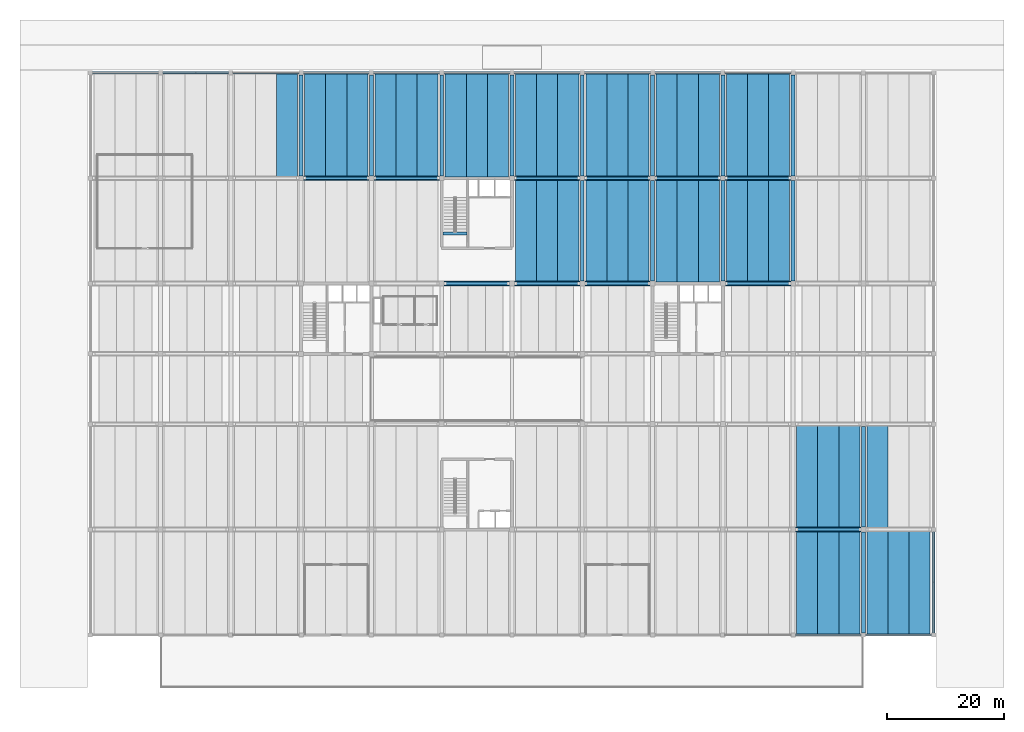
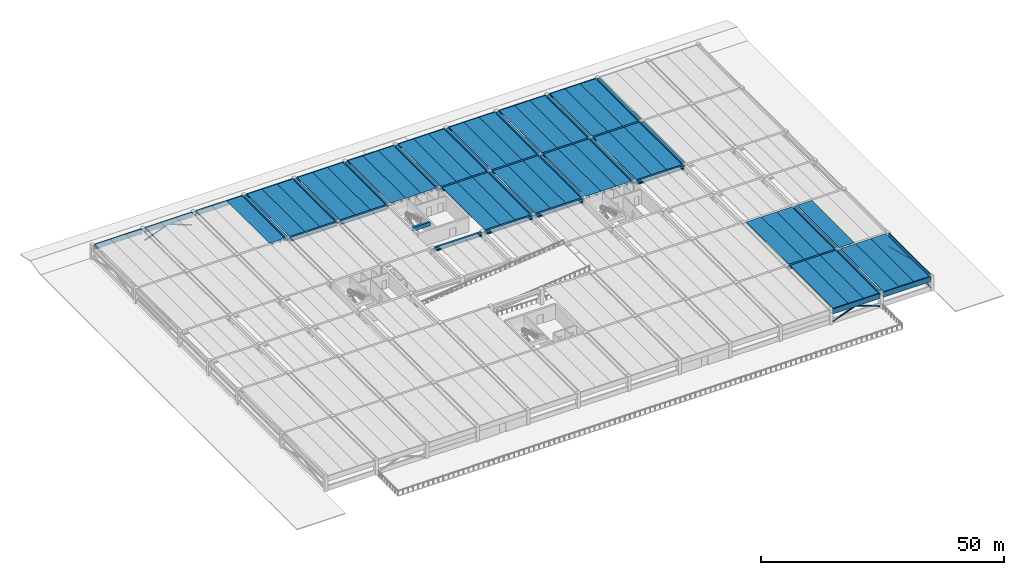
# One storey, part 4 of 16: 83 beams, 6 members.
"""IFC4 building model written with IfcOpenShell, lengths in metres."""

from ifc_helpers import new_model, si_unit, direction, frame, origin, origin_2d, place, context, subcontext, project, spatial, polyline, rectangle, hollow_rectangle, outline, extrude, material, material_profile, profile_set, type_object, element, save


model = new_model("IFC4")

# Units and contexts
model_context = context("Model", 3, precision=1e-05, world=origin(), true_north=direction((0.0, 1.0)))
body_context = subcontext(model_context, "Body", "Model", "MODEL_VIEW")
ifc_project = project(units=[si_unit("LENGTHUNIT", "METRE"), si_unit("AREAUNIT", "SQUARE_METRE"), si_unit("VOLUMEUNIT", "CUBIC_METRE"), si_unit("PLANEANGLEUNIT", "RADIAN"), si_unit("MASSUNIT", "GRAM", prefix="KILO")], contexts=[model_context])

# Site, building, storey
site_placement = place(None, origin())
site = spatial("IfcSite", under=ifc_project, at=site_placement, CompositionType="ELEMENT")
building_placement = place(site_placement, origin())
building = spatial("IfcBuilding", under=site, at=building_placement, Name="Girod Span Mobility Hub", CompositionType="ELEMENT")
storey_placement = place(building_placement, frame((0.0, 0.0, 21.0)))
storey = spatial("IfcBuildingStorey", under=building, at=storey_placement, Name="L05", CompositionType="ELEMENT", Elevation=21.0)

# Beams
ifc_material_1 = material(Name="Concrete C50/60", Category="concrete")
ifc_material_profile_1 = material_profile(ifc_material_1, outline(polyline([(-1.800048828125, 0.425048828125), (-1.800048828125, 0.324951171875), (-1.0, 0.324951171875), (-0.969970703125, -0.425048828125), (-0.830078125, -0.425048828125), (-0.800048828125, 0.324951171875), (0.800048828125, 0.324951171875), (0.830078125, -0.425048828125), (0.969970703125, -0.425048828125), (1.0, 0.324951171875), (1.800048828125, 0.324951171875), (1.800048828125, 0.425048828125), (-1.800048828125, 0.425048828125)])), Name="DT-3600X850")
ifc_profile_set_1 = profile_set([ifc_material_profile_1], Name="Concrete C50/60")
beam_type_1 = type_object("IfcBeamType", Name="BM-DT-3600X850", PredefinedType="JOIST", material=ifc_profile_set_1)
for number, where, z_axis, x_axis, name in (
    (1, (45.60009765625, 87.22705078125, 3.2099609375), (0.0, 1.0, 0.0), (-1.0, 0.0, 0.0), "Double-Tee Deck 4/G-3 L05"),
    (2, (50.39990234375, 87.22705078125, 3.2099609375), (0.0, 1.0, 0.0), (-1.0, 0.0, 0.0), "Double-Tee Deck 5/G-1 L05"),
    (3, (54.0, 87.22705078125, 3.2099609375), (0.0, 1.0, 0.0), (-1.0, 0.0, 0.0), "Double-Tee Deck 5/G-2 L05"),
    (4, (57.60009765625, 87.22705078125, 3.2099609375), (0.0, 1.0, 0.0), (-1.0, 0.0, 0.0), "Double-Tee Deck 5/G-3 L05"),
    (5, (62.39990234375, 87.22705078125, 3.2099609375), (0.0, 1.0, 0.0), (-1.0, 0.0, 0.0), "Double-Tee Deck 6/G-1 L05"),
    (6, (66.0, 87.22705078125, 3.2099609375), (0.0, 1.0, 0.0), (-1.0, 0.0, 0.0), "Double-Tee Deck 6/G-2 L05"),
    (7, (69.60009765625, 87.22705078125, 3.2099609375), (0.0, 1.0, 0.0), (-1.0, 0.0, 0.0), "Double-Tee Deck 6/G-3 L05"),
):
    element("IfcBeam", number, at=place(storey_placement, frame(where, z_axis=z_axis, x_axis=x_axis)), inside=storey, type_object=beam_type_1, Name=name, PredefinedType="JOIST", context=body_context, shape_type="SweptSolid", body=[
        extrude(outline(polyline([(-1.800048828125, 0.425048828125), (-1.800048828125, 0.324951171875), (-1.0, 0.324951171875), (-0.969970703125, -0.425048828125), (-0.830078125, -0.425048828125), (-0.800048828125, 0.324951171875), (0.800048828125, 0.324951171875), (0.830078125, -0.425048828125), (0.969970703125, -0.425048828125), (1.0, 0.324951171875), (1.800048828125, 0.324951171875), (1.800048828125, 0.425048828125), (-1.800048828125, 0.425048828125)])), origin(), (0.0, 0.0, 1.0), 17.575927734375),
    ])
for number, where, z_axis, x_axis, name in (
    (8, (74.39990234375, 87.221923828125, 3.2099609375), (0.0, 1.0, 0.0), (-1.0, 0.0, 0.0), "Double-Tee Deck 7/G-1 L05"),
    (9, (78.0, 87.221923828125, 3.2099609375), (0.0, 1.0, 0.0), (-1.0, 0.0, 0.0), "Double-Tee Deck 7/G-2 L05"),
    (10, (81.60009765625, 87.221923828125, 3.2099609375), (0.0, 1.0, 0.0), (-1.0, 0.0, 0.0), "Double-Tee Deck 7/G-3 L05"),
):
    element("IfcBeam", number, at=place(storey_placement, frame(where, z_axis=z_axis, x_axis=x_axis)), inside=storey, type_object=beam_type_1, Name=name, PredefinedType="JOIST", context=body_context, shape_type="SweptSolid", body=[
        extrude(outline(polyline([(-1.800048828125, 0.425048828125), (-1.800048828125, 0.324951171875), (-1.0, 0.324951171875), (-0.969970703125, -0.425048828125), (-0.830078125, -0.425048828125), (-0.800048828125, 0.324951171875), (0.800048828125, 0.324951171875), (0.830078125, -0.425048828125), (0.969970703125, -0.425048828125), (1.0, 0.324951171875), (1.800048828125, 0.324951171875), (1.800048828125, 0.425048828125), (-1.800048828125, 0.425048828125)])), origin(), (0.0, 0.0, 1.0), 17.5810546875),
    ])
for number, where, z_axis, x_axis, name in (
    (11, (86.39990234375, 69.22705078125, 3.2099609375), (0.0, 1.0, 0.0), (-1.0, 0.0, 0.0), "Double-Tee Deck 8/F-1 L05"),
    (12, (90.0, 69.22705078125, 3.2099609375), (0.0, 1.0, 0.0), (-1.0, 0.0, 0.0), "Double-Tee Deck 8/F-2 L05"),
    (13, (93.60009765625, 69.22705078125, 3.2099609375), (0.0, 1.0, 0.0), (-1.0, 0.0, 0.0), "Double-Tee Deck 8/F-3 L05"),
):
    element("IfcBeam", number, at=place(storey_placement, frame(where, z_axis=z_axis, x_axis=x_axis)), inside=storey, type_object=beam_type_1, Name=name, PredefinedType="JOIST", context=body_context, shape_type="SweptSolid", body=[
        extrude(outline(polyline([(-1.800048828125, 0.425048828125), (-1.800048828125, 0.324951171875), (-1.0, 0.324951171875), (-0.969970703125, -0.425048828125), (-0.830078125, -0.425048828125), (-0.800048828125, 0.324951171875), (0.800048828125, 0.324951171875), (0.830078125, -0.425048828125), (0.969970703125, -0.425048828125), (1.0, 0.324951171875), (1.800048828125, 0.324951171875), (1.800048828125, 0.425048828125), (-1.800048828125, 0.425048828125)])), origin(), (0.0, 0.0, 1.0), 17.5458984375),
    ])
for number, where, z_axis, x_axis, name in (
    (14, (86.39990234375, 87.22705078125, 3.2099609375), (0.0, 1.0, 0.0), (-1.0, 0.0, 0.0), "Double-Tee Deck 8/G-1 L05"),
    (15, (90.0, 87.22705078125, 3.2099609375), (0.0, 1.0, 0.0), (-1.0, 0.0, 0.0), "Double-Tee Deck 8/G-2 L05"),
    (16, (93.60009765625, 87.22705078125, 3.2099609375), (0.0, 1.0, 0.0), (-1.0, 0.0, 0.0), "Double-Tee Deck 8/G-3 L05"),
):
    element("IfcBeam", number, at=place(storey_placement, frame(where, z_axis=z_axis, x_axis=x_axis)), inside=storey, type_object=beam_type_1, Name=name, PredefinedType="JOIST", context=body_context, shape_type="SweptSolid", body=[
        extrude(outline(polyline([(-1.800048828125, 0.425048828125), (-1.800048828125, 0.324951171875), (-1.0, 0.324951171875), (-0.969970703125, -0.425048828125), (-0.830078125, -0.425048828125), (-0.800048828125, 0.324951171875), (0.800048828125, 0.324951171875), (0.830078125, -0.425048828125), (0.969970703125, -0.425048828125), (1.0, 0.324951171875), (1.800048828125, 0.324951171875), (1.800048828125, 0.425048828125), (-1.800048828125, 0.425048828125)])), origin(), (0.0, 0.0, 1.0), 17.575927734375),
    ])
for number, where, z_axis, x_axis, name in (
    (17, (98.39990234375, 69.22705078125, 3.2099609375), (0.0, 1.0, 0.0), (-1.0, 0.0, 0.0), "Double-Tee Deck 9/F-1 L05"),
    (18, (102.0, 69.22705078125, 3.2099609375), (0.0, 1.0, 0.0), (-1.0, 0.0, 0.0), "Double-Tee Deck 9/F-2 L05"),
    (19, (105.60009765625, 69.22705078125, 3.2099609375), (0.0, 1.0, 0.0), (-1.0, 0.0, 0.0), "Double-Tee Deck 9/F-3 L05"),
):
    element("IfcBeam", number, at=place(storey_placement, frame(where, z_axis=z_axis, x_axis=x_axis)), inside=storey, type_object=beam_type_1, Name=name, PredefinedType="JOIST", context=body_context, shape_type="SweptSolid", body=[
        extrude(outline(polyline([(-1.800048828125, 0.425048828125), (-1.800048828125, 0.324951171875), (-1.0, 0.324951171875), (-0.969970703125, -0.425048828125), (-0.830078125, -0.425048828125), (-0.800048828125, 0.324951171875), (0.800048828125, 0.324951171875), (0.830078125, -0.425048828125), (0.969970703125, -0.425048828125), (1.0, 0.324951171875), (1.800048828125, 0.324951171875), (1.800048828125, 0.425048828125), (-1.800048828125, 0.425048828125)])), origin(), (0.0, 0.0, 1.0), 17.5458984375),
    ])
for number, where, z_axis, x_axis, name in (
    (20, (98.39990234375, 87.22705078125, 3.2099609375), (0.0, 1.0, 0.0), (-1.0, 0.0, 0.0), "Double-Tee Deck 9/G-1 L05"),
    (21, (102.0, 87.22705078125, 3.2099609375), (0.0, 1.0, 0.0), (-1.0, 0.0, 0.0), "Double-Tee Deck 9/G-2 L05"),
    (22, (105.60009765625, 87.22705078125, 3.2099609375), (0.0, 1.0, 0.0), (-1.0, 0.0, 0.0), "Double-Tee Deck 9/G-3 L05"),
):
    element("IfcBeam", number, at=place(storey_placement, frame(where, z_axis=z_axis, x_axis=x_axis)), inside=storey, type_object=beam_type_1, Name=name, PredefinedType="JOIST", context=body_context, shape_type="SweptSolid", body=[
        extrude(outline(polyline([(-1.800048828125, 0.425048828125), (-1.800048828125, 0.324951171875), (-1.0, 0.324951171875), (-0.969970703125, -0.425048828125), (-0.830078125, -0.425048828125), (-0.800048828125, 0.324951171875), (0.800048828125, 0.324951171875), (0.830078125, -0.425048828125), (0.969970703125, -0.425048828125), (1.0, 0.324951171875), (1.800048828125, 0.324951171875), (1.800048828125, 0.425048828125), (-1.800048828125, 0.425048828125)])), origin(), (0.0, 0.0, 1.0), 17.575927734375),
    ])
for number, where, z_axis, x_axis, name in (
    (23, (110.39990234375, 69.2470703125, 3.2099609375), (0.0, 1.0, 0.0), (-1.0, 0.0, 0.0), "Double-Tee Deck 10/F-1 L05"),
    (24, (114.0, 69.2470703125, 3.2099609375), (0.0, 1.0, 0.0), (-1.0, 0.0, 0.0), "Double-Tee Deck 10/F-2 L05"),
    (25, (117.60009765625, 69.2470703125, 3.2099609375), (0.0, 1.0, 0.0), (-1.0, 0.0, 0.0), "Double-Tee Deck 10/F-3 L05"),
):
    element("IfcBeam", number, at=place(storey_placement, frame(where, z_axis=z_axis, x_axis=x_axis)), inside=storey, type_object=beam_type_1, Name=name, PredefinedType="JOIST", context=body_context, shape_type="SweptSolid", body=[
        extrude(outline(polyline([(-1.800048828125, 0.425048828125), (-1.800048828125, 0.324951171875), (-1.0, 0.324951171875), (-0.969970703125, -0.425048828125), (-0.830078125, -0.425048828125), (-0.800048828125, 0.324951171875), (0.800048828125, 0.324951171875), (0.830078125, -0.425048828125), (0.969970703125, -0.425048828125), (1.0, 0.324951171875), (1.800048828125, 0.324951171875), (1.800048828125, 0.425048828125), (-1.800048828125, 0.425048828125)])), origin(), (0.0, 0.0, 1.0), 17.52587890625),
    ])
for number, where, z_axis, x_axis, name in (
    (26, (110.39990234375, 87.22705078125, 3.2099609375), (0.0, 1.0, 0.0), (-1.0, 0.0, 0.0), "Double-Tee Deck 10/G-1 L05"),
    (27, (114.0, 87.22705078125, 3.2099609375), (0.0, 1.0, 0.0), (-1.0, 0.0, 0.0), "Double-Tee Deck 10/G-2 L05"),
    (28, (117.60009765625, 87.22705078125, 3.2099609375), (0.0, 1.0, 0.0), (-1.0, 0.0, 0.0), "Double-Tee Deck 10/G-3 L05"),
):
    element("IfcBeam", number, at=place(storey_placement, frame(where, z_axis=z_axis, x_axis=x_axis)), inside=storey, type_object=beam_type_1, Name=name, PredefinedType="JOIST", context=body_context, shape_type="SweptSolid", body=[
        extrude(outline(polyline([(-1.800048828125, 0.425048828125), (-1.800048828125, 0.324951171875), (-1.0, 0.324951171875), (-0.969970703125, -0.425048828125), (-0.830078125, -0.425048828125), (-0.800048828125, 0.324951171875), (0.800048828125, 0.324951171875), (0.830078125, -0.425048828125), (0.969970703125, -0.425048828125), (1.0, 0.324951171875), (1.800048828125, 0.324951171875), (1.800048828125, 0.425048828125), (-1.800048828125, 0.425048828125)])), origin(), (0.0, 0.0, 1.0), 17.575927734375),
    ])
for number, where, z_axis, x_axis, name in (
    (29, (122.39990234375, 69.22705078125, 3.2099609375), (0.0, 1.0, 0.0), (-1.0, 0.0, 0.0), "Double-Tee Deck 11/F-1 L05"),
    (30, (126.0, 69.22705078125, 3.2099609375), (0.0, 1.0, 0.0), (-1.0, 0.0, 0.0), "Double-Tee Deck 11/F-2 L05"),
    (31, (129.60009765625, 69.22705078125, 3.2099609375), (0.0, 1.0, 0.0), (-1.0, 0.0, 0.0), "Double-Tee Deck 11/F-3 L05"),
):
    element("IfcBeam", number, at=place(storey_placement, frame(where, z_axis=z_axis, x_axis=x_axis)), inside=storey, type_object=beam_type_1, Name=name, PredefinedType="JOIST", context=body_context, shape_type="SweptSolid", body=[
        extrude(outline(polyline([(-1.800048828125, 0.425048828125), (-1.800048828125, 0.324951171875), (-1.0, 0.324951171875), (-0.969970703125, -0.425048828125), (-0.830078125, -0.425048828125), (-0.800048828125, 0.324951171875), (0.800048828125, 0.324951171875), (0.830078125, -0.425048828125), (0.969970703125, -0.425048828125), (1.0, 0.324951171875), (1.800048828125, 0.324951171875), (1.800048828125, 0.425048828125), (-1.800048828125, 0.425048828125)])), origin(), (0.0, 0.0, 1.0), 17.5458984375),
    ])
for number, where, z_axis, x_axis, name in (
    (32, (122.39990234375, 87.22705078125, 3.2099609375), (0.0, 1.0, 0.0), (-1.0, 0.0, 0.0), "Double-Tee Deck 11/G-1 L05"),
    (33, (126.0, 87.22705078125, 3.2099609375), (0.0, 1.0, 0.0), (-1.0, 0.0, 0.0), "Double-Tee Deck 11/G-2 L05"),
    (34, (129.60009765625, 87.22705078125, 3.2099609375), (0.0, 1.0, 0.0), (-1.0, 0.0, 0.0), "Double-Tee Deck 11/G-3 L05"),
):
    element("IfcBeam", number, at=place(storey_placement, frame(where, z_axis=z_axis, x_axis=x_axis)), inside=storey, type_object=beam_type_1, Name=name, PredefinedType="JOIST", context=body_context, shape_type="SweptSolid", body=[
        extrude(outline(polyline([(-1.800048828125, 0.425048828125), (-1.800048828125, 0.324951171875), (-1.0, 0.324951171875), (-0.969970703125, -0.425048828125), (-0.830078125, -0.425048828125), (-0.800048828125, 0.324951171875), (0.800048828125, 0.324951171875), (0.830078125, -0.425048828125), (0.969970703125, -0.425048828125), (1.0, 0.324951171875), (1.800048828125, 0.324951171875), (1.800048828125, 0.425048828125), (-1.800048828125, 0.425048828125)])), origin(), (0.0, 0.0, 1.0), 17.575927734375),
    ])
for number, where, z_axis, x_axis, name in (
    (35, (134.39990234375, 9.01708984375, 3.2099609375), (0.0, 1.0, 0.0), (-1.0, 0.0, 0.0), "Double-Tee Deck 12/B-1 L05"),
    (36, (138.0, 9.01708984375, 3.2099609375), (0.0, 1.0, 0.0), (-1.0, 0.0, 0.0), "Double-Tee Deck 12/B-2 L05"),
    (37, (141.60009765625, 9.01708984375, 3.2099609375), (0.0, 1.0, 0.0), (-1.0, 0.0, 0.0), "Double-Tee Deck 12/B-3 L05"),
):
    element("IfcBeam", number, at=place(storey_placement, frame(where, z_axis=z_axis, x_axis=x_axis)), inside=storey, type_object=beam_type_1, Name=name, PredefinedType="JOIST", context=body_context, shape_type="SweptSolid", body=[
        extrude(outline(polyline([(-1.800048828125, 0.425048828125), (-1.800048828125, 0.324951171875), (-1.0, 0.324951171875), (-0.969970703125, -0.425048828125), (-0.830078125, -0.425048828125), (-0.800048828125, 0.324951171875), (0.800048828125, 0.324951171875), (0.830078125, -0.425048828125), (0.969970703125, -0.425048828125), (1.0, 0.324951171875), (1.800048828125, 0.324951171875), (1.800048828125, 0.425048828125), (-1.800048828125, 0.425048828125)])), origin(), (0.0, 0.0, 1.0), 17.755859375),
    ])
for number, where, z_axis, x_axis, name in (
    (38, (134.39990234375, 27.22705078125, 3.2099609375), (0.0, 1.0, 0.0), (-1.0, 0.0, 0.0), "Double-Tee Deck 12/C-1 L05"),
    (39, (138.0, 27.22705078125, 3.2099609375), (0.0, 1.0, 0.0), (-1.0, 0.0, 0.0), "Double-Tee Deck 12/C-2 L05"),
    (40, (141.60009765625, 27.22705078125, 3.2099609375), (0.0, 1.0, 0.0), (-1.0, 0.0, 0.0), "Double-Tee Deck 12/C-3 L05"),
):
    element("IfcBeam", number, at=place(storey_placement, frame(where, z_axis=z_axis, x_axis=x_axis)), inside=storey, type_object=beam_type_1, Name=name, PredefinedType="JOIST", context=body_context, shape_type="SweptSolid", body=[
        extrude(outline(polyline([(-1.800048828125, 0.425048828125), (-1.800048828125, 0.324951171875), (-1.0, 0.324951171875), (-0.969970703125, -0.425048828125), (-0.830078125, -0.425048828125), (-0.800048828125, 0.324951171875), (0.800048828125, 0.324951171875), (0.830078125, -0.425048828125), (0.969970703125, -0.425048828125), (1.0, 0.324951171875), (1.800048828125, 0.324951171875), (1.800048828125, 0.425048828125), (-1.800048828125, 0.425048828125)])), origin(), (0.0, 0.0, 1.0), 17.5458984375),
    ])
for number, where, z_axis, x_axis, name in (
    (41, (146.39990234375, 9.01708984375, 3.2099609375), (0.0, 1.0, 0.0), (-1.0, 0.0, 0.0), "Double-Tee Deck 13/B-1 L05"),
    (42, (150.0, 9.01708984375, 3.2099609375), (0.0, 1.0, 0.0), (-1.0, 0.0, 0.0), "Double-Tee Deck 13/B-2 L05"),
    (43, (153.60009765625, 9.01708984375, 3.2099609375), (0.0, 1.0, 0.0), (-1.0, 0.0, 0.0), "Double-Tee Deck 13/B-3 L05"),
):
    element("IfcBeam", number, at=place(storey_placement, frame(where, z_axis=z_axis, x_axis=x_axis)), inside=storey, type_object=beam_type_1, Name=name, PredefinedType="JOIST", context=body_context, shape_type="SweptSolid", body=[
        extrude(outline(polyline([(-1.800048828125, 0.425048828125), (-1.800048828125, 0.324951171875), (-1.0, 0.324951171875), (-0.969970703125, -0.425048828125), (-0.830078125, -0.425048828125), (-0.800048828125, 0.324951171875), (0.800048828125, 0.324951171875), (0.830078125, -0.425048828125), (0.969970703125, -0.425048828125), (1.0, 0.324951171875), (1.800048828125, 0.324951171875), (1.800048828125, 0.425048828125), (-1.800048828125, 0.425048828125)])), origin(), (0.0, 0.0, 1.0), 17.755859375),
    ])
beam_1_placement = place(storey_placement, frame((146.39990234375, 27.22705078125, 3.2099609375), z_axis=(0.0, 1.0, 0.0), x_axis=(-1.0, 0.0, 0.0)))
element("IfcBeam", 44, at=beam_1_placement, inside=storey, type_object=beam_type_1, Name="Double-Tee Deck 13/C-1 L05", PredefinedType="JOIST", context=body_context, shape_type="SweptSolid", body=[
    extrude(outline(polyline([(-1.800048828125, 0.425048828125), (-1.800048828125, 0.324951171875), (-1.0, 0.324951171875), (-0.969970703125, -0.425048828125), (-0.830078125, -0.425048828125), (-0.800048828125, 0.324951171875), (0.800048828125, 0.324951171875), (0.830078125, -0.425048828125), (0.969970703125, -0.425048828125), (1.0, 0.324951171875), (1.800048828125, 0.324951171875), (1.800048828125, 0.425048828125), (-1.800048828125, 0.425048828125)])), origin(), (0.0, 0.0, 1.0), 17.5458984375),
])
ifc_material_2 = material(Name="Concrete C50/60", Category="concrete")
ifc_material_profile_2 = material_profile(ifc_material_2, outline(polyline([(-0.39990234375, -0.449951171875), (0.39990234375, -0.449951171875), (0.39990234375, -0.14990234375), (0.22998046875, -0.14990234375), (0.22998046875, 0.449951171875), (-0.22998046875, 0.449951171875), (-0.22998046875, -0.14990234375), (-0.39990234375, -0.14990234375), (-0.39990234375, -0.449951171875)])), Name="IT-800X900")
ifc_profile_set_2 = profile_set([ifc_material_profile_2], Name="Concrete C50/60")
beam_type_2 = type_object("IfcBeamType", Name="BM-IT-800X900", PredefinedType="T_BEAM", material=ifc_profile_set_2)
beam_2_placement = place(storey_placement, frame((132.39697265625, 27.0, 3.18505859375), z_axis=(1.0, 0.0, 0.0), x_axis=(0.0, 1.0, 0.0)))
element("IfcBeam", 45, at=beam_2_placement, inside=storey, type_object=beam_type_2, Name="Girder 12-13/C L05", PredefinedType="T_BEAM", context=body_context, shape_type="SweptSolid", body=[
    extrude(outline(polyline([(-0.39990234375, -0.449951171875), (0.39990234375, -0.449951171875), (0.39990234375, -0.14990234375), (0.22998046875, -0.14990234375), (0.22998046875, 0.449951171875), (-0.22998046875, 0.449951171875), (-0.22998046875, -0.14990234375), (-0.39990234375, -0.14990234375), (-0.39990234375, -0.449951171875)])), origin(), (0.0, 0.0, 1.0), 11.2060546875),
])
for number, where, z_axis, x_axis, name in (
    (46, (72.422119140625, 69.0, 3.18505859375), (1.0, 0.0, 0.0), (0.0, 1.0, 0.0), "Girder 7-8/F L05"),
    (47, (84.422119140625, 69.0, 3.18505859375), (1.0, 0.0, 0.0), (0.0, 1.0, 0.0), "Girder 8-9/F L05"),
    (48, (96.422119140625, 69.0, 3.18505859375), (1.0, 0.0, 0.0), (0.0, 1.0, 0.0), "Girder 9-10/F L05"),
):
    element("IfcBeam", number, at=place(storey_placement, frame(where, z_axis=z_axis, x_axis=x_axis)), inside=storey, type_object=beam_type_2, Name=name, PredefinedType="T_BEAM", context=body_context, shape_type="SweptSolid", body=[
        extrude(outline(polyline([(-0.39990234375, -0.449951171875), (0.39990234375, -0.449951171875), (0.39990234375, -0.14990234375), (0.22998046875, -0.14990234375), (0.22998046875, 0.449951171875), (-0.22998046875, 0.449951171875), (-0.22998046875, -0.14990234375), (-0.39990234375, -0.14990234375), (-0.39990234375, -0.449951171875)])), origin(), (0.0, 0.0, 1.0), 11.15576171875),
    ])
beam_3_placement = place(storey_placement, frame((120.422119140625, 69.0, 3.18505859375), z_axis=(1.0, 0.0, 0.0), x_axis=(0.0, 1.0, 0.0)))
element("IfcBeam", 49, at=beam_3_placement, inside=storey, type_object=beam_type_2, Name="Girder 11-12/F L05", PredefinedType="T_BEAM", context=body_context, shape_type="SweptSolid", body=[
    extrude(outline(polyline([(-0.39990234375, -0.449951171875), (0.39990234375, -0.449951171875), (0.39990234375, -0.14990234375), (0.22998046875, -0.14990234375), (0.22998046875, 0.449951171875), (-0.22998046875, 0.449951171875), (-0.22998046875, -0.14990234375), (-0.39990234375, -0.14990234375), (-0.39990234375, -0.449951171875)])), origin(), (0.0, 0.0, 1.0), 11.180908203125),
])
for number, where, z_axis, x_axis, name in (
    (50, (48.39697265625, 87.0, 3.18505859375), (1.0, 0.0, 0.0), (0.0, 1.0, 0.0), "Girder 5-6/G L05"),
    (51, (60.39697265625, 87.0, 3.18505859375), (1.0, 0.0, 0.0), (0.0, 1.0, 0.0), "Girder 6-7/G L05"),
    (52, (84.39697265625, 87.0, 3.18505859375), (1.0, 0.0, 0.0), (0.0, 1.0, 0.0), "Girder 8-9/G L05"),
    (53, (96.39697265625, 87.0, 3.18505859375), (1.0, 0.0, 0.0), (0.0, 1.0, 0.0), "Girder 9-10/G L05"),
    (54, (108.39697265625, 87.0, 3.18505859375), (1.0, 0.0, 0.0), (0.0, 1.0, 0.0), "Girder 10-11/G L05"),
    (55, (120.39697265625, 87.0, 3.18505859375), (1.0, 0.0, 0.0), (0.0, 1.0, 0.0), "Girder 11-12/G L05"),
):
    element("IfcBeam", number, at=place(storey_placement, frame(where, z_axis=z_axis, x_axis=x_axis)), inside=storey, type_object=beam_type_2, Name=name, PredefinedType="T_BEAM", context=body_context, shape_type="SweptSolid", body=[
        extrude(outline(polyline([(-0.39990234375, -0.449951171875), (0.39990234375, -0.449951171875), (0.39990234375, -0.14990234375), (0.22998046875, -0.14990234375), (0.22998046875, 0.449951171875), (-0.22998046875, 0.449951171875), (-0.22998046875, -0.14990234375), (-0.39990234375, -0.14990234375), (-0.39990234375, -0.449951171875)])), origin(), (0.0, 0.0, 1.0), 11.2060546875),
    ])
ifc_material_3 = material(Name="Concrete C40/50", Category="concrete")
ifc_material_profile_3 = material_profile(ifc_material_3, rectangle(XDim=0.550048828125, YDim=0.949951171875, at=origin_2d()), Name="RK-550X950")
ifc_profile_set_3 = profile_set([ifc_material_profile_3], Name="Concrete C40/50")
beam_type_3 = type_object("IfcBeamType", Name="BM-RK-550X950", PredefinedType="BEAM", material=ifc_profile_set_3)
beam_4_placement = place(storey_placement, frame((72.221923828125, 77.550048828125, 3.159912109375), z_axis=(1.0, 0.0, 0.0), x_axis=(0.0, 1.0, 0.0)))
element("IfcBeam", 56, at=beam_4_placement, inside=storey, type_object=beam_type_3, Name="Stair ST-4 Landing Header Beam L05", PredefinedType="BEAM", context=body_context, shape_type="SweptSolid", body=[
    extrude(rectangle(XDim=0.550048828125, YDim=0.949951171875, at=origin_2d()), origin(), (0.0, 0.0, 1.0), 4.0810546875),
])
ifc_material_4 = material(Name="Concrete C40/50", Category="concrete")
ifc_material_profile_4 = material_profile(ifc_material_4, outline(polyline([(-0.199951171875, -0.625), (0.199951171875, -0.625), (0.199951171875, -0.304931640625), (0.02001953125, -0.304931640625), (0.02001953125, 0.625), (-0.199951171875, 0.625), (-0.199951171875, -0.625)])), Name="SP-400X1250")
ifc_profile_set_4 = profile_set([ifc_material_profile_4], Name="Concrete C40/50")
beam_type_4 = type_object("IfcBeamType", Name="BM-SP-400X1250", PredefinedType="SPANDREL", material=ifc_profile_set_4)
for number, where, z_axis, x_axis, name in (
    (57, (132.3720703125, 9.0, 3.010009765625), (1.0, 0.0, 0.0), (0.0, 1.0, 0.0), "Girder 12-13/B L05"),
    (58, (144.3720703125, 9.0, 3.010009765625), (1.0, 0.0, 0.0), (0.0, 1.0, 0.0), "Girder 13-14/B L05"),
    (59, (12.3720703125, 105.0, 3.010009765625), (1.0, 0.0, 0.0), (0.0, 1.0, 0.0), "Girder 2-3/H L05"),
    (60, (24.3720703125, 105.0, 3.010009765625), (1.0, 0.0, 0.0), (0.0, 1.0, 0.0), "Girder 3-4/H L05"),
    (61, (36.3720703125, 105.0, 3.010009765625), (1.0, 0.0, 0.0), (0.0, 1.0, 0.0), "Girder 4-5/H L05"),
    (62, (48.3720703125, 105.0, 3.010009765625), (1.0, 0.0, 0.0), (0.0, 1.0, 0.0), "Girder 5-6/H L05"),
    (63, (60.3720703125, 105.0, 3.010009765625), (1.0, 0.0, 0.0), (0.0, 1.0, 0.0), "Girder 6-7/H L05"),
    (64, (72.3720703125, 105.0, 3.010009765625), (1.0, 0.0, 0.0), (0.0, 1.0, 0.0), "Girder 7-8/H L05"),
    (65, (84.3720703125, 105.0, 3.010009765625), (1.0, 0.0, 0.0), (0.0, 1.0, 0.0), "Girder 8-9/H L05"),
    (66, (96.3720703125, 105.0, 3.010009765625), (1.0, 0.0, 0.0), (0.0, 1.0, 0.0), "Girder 9-10/H L05"),
    (67, (108.3720703125, 105.0, 3.010009765625), (1.0, 0.0, 0.0), (0.0, 1.0, 0.0), "Girder 10-11/H L05"),
    (68, (120.3720703125, 105.0, 3.010009765625), (1.0, 0.0, 0.0), (0.0, 1.0, 0.0), "Girder 11-12/H L05"),
):
    element("IfcBeam", number, at=place(storey_placement, frame(where, z_axis=z_axis, x_axis=x_axis)), inside=storey, type_object=beam_type_4, Name=name, PredefinedType="SPANDREL", context=body_context, shape_type="SweptSolid", body=[
        extrude(outline(polyline([(-0.199951171875, -0.625), (0.199951171875, -0.625), (0.199951171875, -0.304931640625), (0.02001953125, -0.304931640625), (0.02001953125, 0.625), (-0.199951171875, 0.625), (-0.199951171875, -0.625)])), origin(), (0.0, 0.0, 1.0), 11.255859375),
    ])
beam_5_placement = place(storey_placement, frame((156.0, 9.3720703125, 3.010009765625), z_axis=(0.0, 1.0, 0.0), x_axis=(-1.0, 0.0, 0.0)))
element("IfcBeam", 69, at=beam_5_placement, inside=storey, type_object=beam_type_4, Name="Tie Girder 14/B-C L05", PredefinedType="SPANDREL", context=body_context, shape_type="SweptSolid", body=[
    extrude(outline(polyline([(-0.199951171875, -0.625), (0.199951171875, -0.625), (0.199951171875, -0.304931640625), (0.02001953125, -0.304931640625), (0.02001953125, 0.625), (-0.199951171875, 0.625), (-0.199951171875, -0.625)])), origin(), (0.0, 0.0, 1.0), 17.255859375),
])
ifc_material_5 = material(Name="Concrete C40/50", Category="concrete")
ifc_material_profile_5 = material_profile(ifc_material_5, rectangle(XDim=0.64990234375, YDim=1.0, at=origin_2d()), Name="TG-650X1000")
ifc_profile_set_5 = profile_set([ifc_material_profile_5], Name="Concrete C40/50")
beam_type_5 = type_object("IfcBeamType", Name="BM-TG-650X1000", PredefinedType="T_BEAM", material=ifc_profile_set_5)
for number, where, z_axis, x_axis, name in (
    (70, (48.0, 87.39697265625, 3.135009765625), (0.0, 1.0, 0.0), (-1.0, 0.0, 0.0), "Tie Girder 5/G-H L05"),
    (71, (60.0, 87.39697265625, 3.135009765625), (0.0, 1.0, 0.0), (-1.0, 0.0, 0.0), "Tie Girder 6/G-H L05"),
    (72, (72.0, 87.39697265625, 3.135009765625), (0.0, 1.0, 0.0), (-1.0, 0.0, 0.0), "Tie Girder 7/G-H L05"),
    (73, (84.0, 87.39697265625, 3.135009765625), (0.0, 1.0, 0.0), (-1.0, 0.0, 0.0), "Tie Girder 8/G-H L05"),
):
    element("IfcBeam", number, at=place(storey_placement, frame(where, z_axis=z_axis, x_axis=x_axis)), inside=storey, type_object=beam_type_5, Name=name, PredefinedType="T_BEAM", context=body_context, shape_type="SweptSolid", body=[
        extrude(rectangle(XDim=0.64990234375, YDim=1.0, at=origin_2d()), origin(), (0.0, 0.0, 1.0), 17.23095703125),
    ])
beam_6_placement = place(storey_placement, frame((96.0, 69.422119140625, 3.135009765625), z_axis=(0.0, 1.0, 0.0), x_axis=(-1.0, 0.0, 0.0)))
element("IfcBeam", 74, at=beam_6_placement, inside=storey, type_object=beam_type_5, Name="Tie Girder 9/F-G L05", PredefinedType="T_BEAM", context=body_context, shape_type="SweptSolid", body=[
    extrude(rectangle(XDim=0.64990234375, YDim=1.0, at=origin_2d()), origin(), (0.0, 0.0, 1.0), 17.180908203125),
])
beam_7_placement = place(storey_placement, frame((96.0, 87.39697265625, 3.135009765625), z_axis=(0.0, 1.0, 0.0), x_axis=(-1.0, 0.0, 0.0)))
element("IfcBeam", 75, at=beam_7_placement, inside=storey, type_object=beam_type_5, Name="Tie Girder 9/G-H L05", PredefinedType="T_BEAM", context=body_context, shape_type="SweptSolid", body=[
    extrude(rectangle(XDim=0.64990234375, YDim=1.0, at=origin_2d()), origin(), (0.0, 0.0, 1.0), 17.23095703125),
])
beam_8_placement = place(storey_placement, frame((108.0, 69.422119140625, 3.135009765625), z_axis=(0.0, 1.0, 0.0), x_axis=(-1.0, 0.0, 0.0)))
element("IfcBeam", 76, at=beam_8_placement, inside=storey, type_object=beam_type_5, Name="Tie Girder 10/F-G L05", PredefinedType="T_BEAM", context=body_context, shape_type="SweptSolid", body=[
    extrude(rectangle(XDim=0.64990234375, YDim=1.0, at=origin_2d()), origin(), (0.0, 0.0, 1.0), 17.180908203125),
])
beam_9_placement = place(storey_placement, frame((108.0, 87.39697265625, 3.135009765625), z_axis=(0.0, 1.0, 0.0), x_axis=(-1.0, 0.0, 0.0)))
element("IfcBeam", 77, at=beam_9_placement, inside=storey, type_object=beam_type_5, Name="Tie Girder 10/G-H L05", PredefinedType="T_BEAM", context=body_context, shape_type="SweptSolid", body=[
    extrude(rectangle(XDim=0.64990234375, YDim=1.0, at=origin_2d()), origin(), (0.0, 0.0, 1.0), 17.23095703125),
])
beam_10_placement = place(storey_placement, frame((120.0, 69.422119140625, 3.135009765625), z_axis=(0.0, 1.0, 0.0), x_axis=(-1.0, 0.0, 0.0)))
element("IfcBeam", 78, at=beam_10_placement, inside=storey, type_object=beam_type_5, Name="Tie Girder 11/F-G L05", PredefinedType="T_BEAM", context=body_context, shape_type="SweptSolid", body=[
    extrude(rectangle(XDim=0.64990234375, YDim=1.0, at=origin_2d()), origin(), (0.0, 0.0, 1.0), 17.180908203125),
])
beam_11_placement = place(storey_placement, frame((120.0, 87.39697265625, 3.135009765625), z_axis=(0.0, 1.0, 0.0), x_axis=(-1.0, 0.0, 0.0)))
element("IfcBeam", 79, at=beam_11_placement, inside=storey, type_object=beam_type_5, Name="Tie Girder 11/G-H L05", PredefinedType="T_BEAM", context=body_context, shape_type="SweptSolid", body=[
    extrude(rectangle(XDim=0.64990234375, YDim=1.0, at=origin_2d()), origin(), (0.0, 0.0, 1.0), 17.23095703125),
])
beam_12_placement = place(storey_placement, frame((132.0, 69.39697265625, 3.135009765625), z_axis=(0.0, 1.0, 0.0), x_axis=(-1.0, 0.0, 0.0)))
element("IfcBeam", 80, at=beam_12_placement, inside=storey, type_object=beam_type_5, Name="Tie Girder 12/F-G L05", PredefinedType="T_BEAM", context=body_context, shape_type="SweptSolid", body=[
    extrude(rectangle(XDim=0.64990234375, YDim=1.0, at=origin_2d()), origin(), (0.0, 0.0, 1.0), 17.2060546875),
])
for number, where, z_axis, x_axis, name in (
    (81, (132.0, 87.39697265625, 3.135009765625), (0.0, 1.0, 0.0), (-1.0, 0.0, 0.0), "Tie Girder 12/G-H L05"),
    (82, (144.0, 9.3720703125, 3.135009765625), (0.0, 1.0, 0.0), (-1.0, 0.0, 0.0), "Tie Girder 13/B-C L05"),
):
    element("IfcBeam", number, at=place(storey_placement, frame(where, z_axis=z_axis, x_axis=x_axis)), inside=storey, type_object=beam_type_5, Name=name, PredefinedType="T_BEAM", context=body_context, shape_type="SweptSolid", body=[
        extrude(rectangle(XDim=0.64990234375, YDim=1.0, at=origin_2d()), origin(), (0.0, 0.0, 1.0), 17.23095703125),
    ])
beam_13_placement = place(storey_placement, frame((144.0, 27.39697265625, 3.135009765625), z_axis=(0.0, 1.0, 0.0), x_axis=(-1.0, 0.0, 0.0)))
element("IfcBeam", 83, at=beam_13_placement, inside=storey, type_object=beam_type_5, Name="Tie Girder 13/C-D L05", PredefinedType="T_BEAM", context=body_context, shape_type="SweptSolid", body=[
    extrude(rectangle(XDim=0.64990234375, YDim=1.0, at=origin_2d()), origin(), (0.0, 0.0, 1.0), 17.2060546875),
])

# Members
ifc_material_6 = material(Name="Steel HSS A500 Grade C", Category="steel")
ifc_material_profile_6 = material_profile(ifc_material_6, hollow_rectangle(XDim=0.25390625, YDim=0.25390625, WallThickness=0.01171875, InnerFilletRadius=0.01171875, OuterFilletRadius=0.023681640625, at=origin_2d()), Name="HSS254X254X12.7")
ifc_profile_set_6 = profile_set([ifc_material_profile_6], Name="Steel HSS A500 Grade C")
member_type = type_object("IfcMemberType", Name="MB-BR-HSS254", PredefinedType="BRACE", material=ifc_profile_set_6)
for number, where, z_axis, x_axis, name in (
    (84, (132.35498046875, 9.0, 0.35009765625), (0.936432327959, 0.0, 0.350848250891), (0.0, 1.0, 0.0), "Perimeter Chevron Brace 12/B-L L05"),
    (85, (143.64501953125, 9.0, 0.35009765625), (-0.936432327959, 0.0, 0.350848250891), (0.0, -1.0, 0.0), "Perimeter Chevron Brace 12/B-R L05"),
    (86, (24.35498046875, 105.0, 0.35009765625), (0.936432327959, 0.0, 0.350848250891), (0.0, 1.0, 0.0), "Perimeter Chevron Brace 3/H-L L05"),
    (87, (35.64501953125, 105.0, 0.35009765625), (-0.936432327959, 0.0, 0.350848250891), (0.0, -1.0, 0.0), "Perimeter Chevron Brace 3/H-R L05"),
):
    element("IfcMember", number, at=place(storey_placement, frame(where, z_axis=z_axis, x_axis=x_axis)), inside=storey, type_object=member_type, Name=name, PredefinedType="BRACE", context=body_context, shape_type="SweptSolid", body=[
        extrude(hollow_rectangle(XDim=0.25390625, YDim=0.25390625, WallThickness=0.01171875, InnerFilletRadius=0.01171875, OuterFilletRadius=0.023681640625, at=origin_2d()), origin(), (0.0, 0.0, 1.0), 6.0283203125),
    ])
for number, where, z_axis, x_axis, name in (
    (88, (156.0, 9.35498046875, 0.35009765625), (0.0, 0.971353290463, 0.237640032626), (-1.0, 0.0, 0.0), "Side Chevron Brace 14/B-S L05"),
    (89, (156.0, 26.64501953125, 0.35009765625), (0.0, -0.971353290463, 0.237640032626), (1.0, 0.0, 0.0), "Side Chevron Brace 14/B-N L05"),
):
    element("IfcMember", number, at=place(storey_placement, frame(where, z_axis=z_axis, x_axis=x_axis)), inside=storey, type_object=member_type, Name=name, PredefinedType="BRACE", context=body_context, shape_type="SweptSolid", body=[
        extrude(hollow_rectangle(XDim=0.25390625, YDim=0.25390625, WallThickness=0.01171875, InnerFilletRadius=0.01171875, OuterFilletRadius=0.023681640625, at=origin_2d()), origin(), (0.0, 0.0, 1.0), 8.89990234375),
    ])

save(model, "model.ifc")
